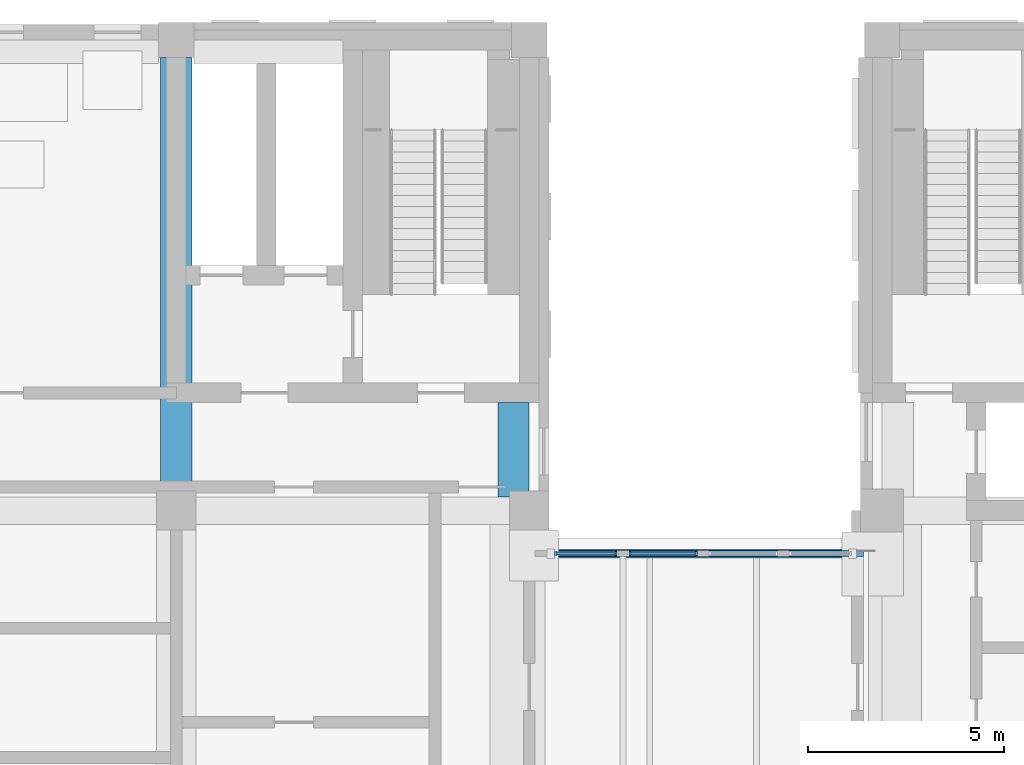
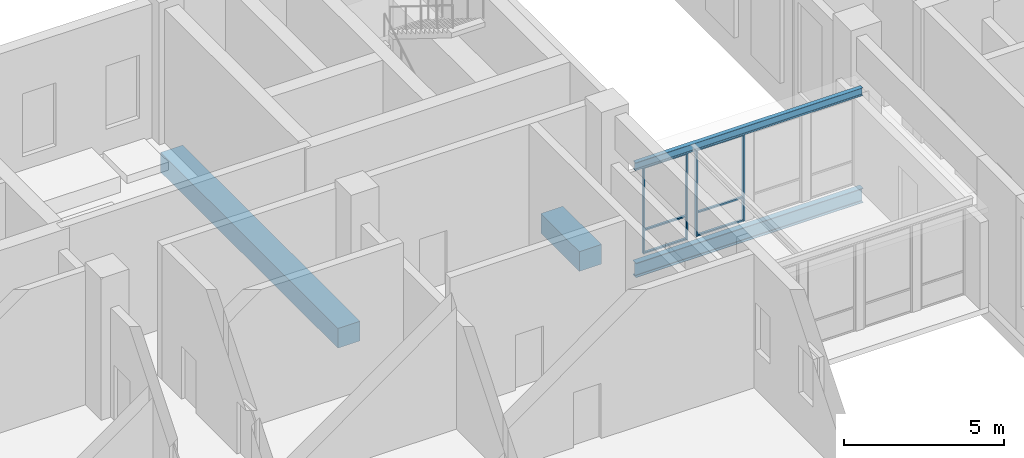
# One storey, part 12 of 52: 10 members, 4 beams, 2 elements without a shape of their own.
"""IFC4 building model written with IfcOpenShell, lengths in metres."""

from ifc_helpers import new_model, si_unit, direction, frame, origin, origin_2d, place, context, subcontext, project, spatial, rectangle, i_section, extrude, material, layer, layer_set, material_profile, profile_set, type_object, element, aggregate, save


model = new_model("IFC4")

# Units and contexts
model_context = context("Model", 3, precision=1e-05, world=origin(), true_north=direction((0.0, 1.0)))
body_context = subcontext(model_context, "Body", "Model", "MODEL_VIEW")
ifc_project = project(units=[si_unit("LENGTHUNIT", "METRE"), si_unit("AREAUNIT", "SQUARE_METRE"), si_unit("VOLUMEUNIT", "CUBIC_METRE"), si_unit("PLANEANGLEUNIT", "RADIAN"), si_unit("MASSUNIT", "GRAM", prefix="KILO")], contexts=[model_context])

# Site, building, storey
site_placement = place(None, origin())
site = spatial("IfcSite", under=ifc_project, at=site_placement, CompositionType="ELEMENT")
building_placement = place(site_placement, origin())
building = spatial("IfcBuilding", under=site, at=building_placement, Name="Aurelan Courthouse", CompositionType="ELEMENT")
storey_placement = place(building_placement, frame((0.0, 0.0, 6.60009765625)))
storey = spatial("IfcBuildingStorey", under=building, at=storey_placement, Name="L01", CompositionType="ELEMENT", Elevation=6.60009765625)

# Beams
ifc_material_1 = material(Name="Steel S355", Category="steel")
ifc_material_profile_1 = material_profile(ifc_material_1, i_section(OverallWidth=0.2099609375, OverallDepth=0.550048828125, WebThickness=0.010986328125, FlangeThickness=0.01708984375, FilletRadius=0.02392578125, at=origin_2d()), Name="IPE 550")
ifc_profile_set_1 = profile_set([ifc_material_profile_1], Name="Steel S355")
beam_type_1 = type_object("IfcBeamType", Name="Bridge girder IPE 550", PredefinedType="BEAM", material=ifc_profile_set_1)
beam_1_placement = place(storey_placement, frame((27.35009765625, 52.89990234375, -0.47509765625), z_axis=(1.0, 0.0, 0.0), x_axis=(0.0, 1.0, 0.0)))
element("IfcBeam", 1, at=beam_1_placement, inside=storey, type_object=beam_type_1, Name="Bridge girder BG-8", PredefinedType="BEAM", context=body_context, shape_type="SweptSolid", body=[
    extrude(i_section(OverallWidth=0.2099609375, OverallDepth=0.550048828125, WebThickness=0.010986328125, FlangeThickness=0.01708984375, FilletRadius=0.02392578125, at=origin_2d()), origin(), (0.0, 0.0, 1.0), 8.1748046875),
])
ifc_material_2 = material(Name="Concrete C50", Category="concrete")
ifc_material_profile_2 = material_profile(ifc_material_2, rectangle(XDim=0.800048828125, YDim=0.75, at=origin_2d()), Name="RC 800 x 750")
ifc_profile_set_2 = profile_set([ifc_material_profile_2], Name="Concrete C50")
beam_type_2 = type_object("IfcBeamType", Name="PT girder 800 x 750", PredefinedType="BEAM", material=ifc_profile_set_2)
beam_2_placement = place(storey_placement, frame((18.0, 54.5, -0.675048828125), z_axis=(0.0, 1.0, 0.0), x_axis=(-1.0, 0.0, 0.0)))
element("IfcBeam", 2, at=beam_2_placement, inside=storey, type_object=beam_type_2, Name="Girder GB-3EF", PredefinedType="BEAM", context=body_context, shape_type="SweptSolid", body=[
    extrude(rectangle(XDim=0.800048828125, YDim=0.75, at=origin_2d()), origin(), (0.0, 0.0, 1.0), 11.050048828125),
])
beam_3_placement = place(storey_placement, frame((26.60009765625, 54.35009765625, -0.675048828125), z_axis=(0.0, 1.0, 0.0), x_axis=(-1.0, 0.0, 0.0)))
element("IfcBeam", 3, at=beam_3_placement, inside=storey, type_object=beam_type_2, Name="Girder GB-4EF-E", PredefinedType="BEAM", context=body_context, shape_type="SweptSolid", body=[
    extrude(rectangle(XDim=0.800048828125, YDim=0.75, at=origin_2d()), origin(), (0.0, 0.0, 1.0), 2.39990234375),
])
ifc_material_profile_3 = material_profile(ifc_material_1, i_section(OverallWidth=0.14990234375, OverallDepth=0.300048828125, WebThickness=0.007080078125, FlangeThickness=0.0107421875, FilletRadius=0.014892578125, at=origin_2d()), Name="IPE 300")
ifc_profile_set_3 = profile_set([ifc_material_profile_3], Name="Steel S355")
beam_type_3 = type_object("IfcBeamType", Name="Passage edge beam IPE 300", PredefinedType="BEAM", material=ifc_profile_set_3)
beam_4_placement = place(storey_placement, frame((27.35009765625, 52.89990234375, 3.449951171875), z_axis=(1.0, 0.0, 0.0), x_axis=(0.0, 1.0, 0.0)))
element("IfcBeam", 4, at=beam_4_placement, inside=storey, type_object=beam_type_3, Name="Passage edge beam BR4-BB", PredefinedType="BEAM", context=body_context, shape_type="SweptSolid", body=[
    extrude(i_section(OverallWidth=0.14990234375, OverallDepth=0.300048828125, WebThickness=0.007080078125, FlangeThickness=0.0107421875, FilletRadius=0.014892578125, at=origin_2d()), origin(), (0.0, 0.0, 1.0), 8.1748046875),
])

# Curtain wall, members
ifc_material_3 = material(Name="Bronze-finished aluminium and glass", Category="aluminium")
ifc_layer_1 = layer(ifc_material_3, 0.1201171875)
ifc_layer_set_1 = layer_set([ifc_layer_1], Name="Bronze-finished aluminium and glass")
curtain_wall_type_1 = type_object("IfcCurtainWallType", Name="Passage glazing 1594 x 3300", PredefinedType="NOTDEFINED", material=ifc_layer_set_1)
curtain_wall_1_placement = place(storey_placement, origin())
curtain_wall_1 = element("IfcCurtainWall", 5, at=curtain_wall_1_placement, inside=storey, type_object=curtain_wall_type_1, Name="Curtain wall CW-L01-BR405", PredefinedType="NOTDEFINED")
ifc_material_4 = material(Name="Bronze-finished aluminium", Category="aluminium")
ifc_material_profile_4 = material_profile(ifc_material_4, rectangle(XDim=0.10009765625, YDim=0.054931640625, at=origin_2d()), Name="Passage glazing mullion 55 x 100")
ifc_profile_set_4 = profile_set([ifc_material_profile_4], Name="Bronze-finished aluminium")
member_type_1 = type_object("IfcMemberType", Name="Passage glazing mullion 55 x 100", PredefinedType="MULLION", material=ifc_profile_set_4)
member_1_placement = place(storey_placement, frame((27.677490234375, 52.89990234375, 0.0), z_axis=(0.0, 0.0, 1.0), x_axis=(0.0, 1.0, 0.0)))
member_1 = element("IfcMember", 6, at=member_1_placement, type_object=member_type_1, Name="CW-L01-BR405 mullion 1", PredefinedType="MULLION", context=body_context, shape_type="SweptSolid", body=[
    extrude(rectangle(XDim=0.10009765625, YDim=0.054931640625, at=origin_2d()), origin(), (0.0, 0.0, 1.0), 3.2998046875),
])
member_2_placement = place(storey_placement, frame((29.21630859375, 52.89990234375, 0.0), z_axis=(0.0, 0.0, 1.0), x_axis=(0.0, 1.0, 0.0)))
member_2 = element("IfcMember", 7, at=member_2_placement, type_object=member_type_1, Name="CW-L01-BR405 mullion 2", PredefinedType="MULLION", context=body_context, shape_type="SweptSolid", body=[
    extrude(rectangle(XDim=0.10009765625, YDim=0.054931640625, at=origin_2d()), origin(), (0.0, 0.0, 1.0), 3.2998046875),
])

ifc_layer_2 = layer(ifc_material_3, 0.1201171875)
ifc_layer_set_2 = layer_set([ifc_layer_2], Name="Bronze-finished aluminium and glass")
curtain_wall_type_2 = type_object("IfcCurtainWallType", Name="Passage glazing 1744 x 3300", PredefinedType="NOTDEFINED", material=ifc_layer_set_2)
curtain_wall_2_placement = place(storey_placement, origin())
curtain_wall_2 = element("IfcCurtainWall", 8, at=curtain_wall_2_placement, inside=storey, type_object=curtain_wall_type_2, Name="Curtain wall CW-L01-BR406", PredefinedType="NOTDEFINED")
member_3_placement = place(storey_placement, frame((29.5712890625, 52.89990234375, 0.0), z_axis=(0.0, 0.0, 1.0), x_axis=(0.0, 1.0, 0.0)))
member_3 = element("IfcMember", 9, at=member_3_placement, type_object=member_type_1, Name="CW-L01-BR406 mullion 1", PredefinedType="MULLION", context=body_context, shape_type="SweptSolid", body=[
    extrude(rectangle(XDim=0.10009765625, YDim=0.054931640625, at=origin_2d()), origin(), (0.0, 0.0, 1.0), 3.2998046875),
])
member_4_placement = place(storey_placement, frame((31.260009765625, 52.89990234375, 0.0), z_axis=(0.0, 0.0, 1.0), x_axis=(0.0, 1.0, 0.0)))
member_4 = element("IfcMember", 10, at=member_4_placement, type_object=member_type_1, Name="CW-L01-BR406 mullion 2", PredefinedType="MULLION", context=body_context, shape_type="SweptSolid", body=[
    extrude(rectangle(XDim=0.10009765625, YDim=0.054931640625, at=origin_2d()), origin(), (0.0, 0.0, 1.0), 3.2998046875),
])

# Member
ifc_material_profile_5 = material_profile(ifc_material_4, rectangle(XDim=0.080078125, YDim=0.054931640625, at=origin_2d()), Name="Passage glazing transom 55 x 80")
ifc_profile_set_5 = profile_set([ifc_material_profile_5], Name="Bronze-finished aluminium")
member_type_2 = type_object("IfcMemberType", Name="Passage glazing transom 55 x 80", PredefinedType="USERDEFINED", material=ifc_profile_set_5)
member_5_placement = place(storey_placement, frame((27.705078125, 52.89990234375, 0.02734375), z_axis=(1.0, 0.0, 0.0), x_axis=(0.0, 1.0, 0.0)))
member_5 = element("IfcMember", 11, at=member_5_placement, type_object=member_type_2, Name="CW-L01-BR405 transom 1.1", ObjectType="TRANSOM", PredefinedType="USERDEFINED", context=body_context, shape_type="SweptSolid", body=[
    extrude(rectangle(XDim=0.080078125, YDim=0.054931640625, at=origin_2d()), origin(), (0.0, 0.0, 1.0), 1.483642578125),
])

member_6_placement = place(storey_placement, frame((27.705078125, 52.89990234375, 0.89990234375), z_axis=(1.0, 0.0, 0.0), x_axis=(0.0, 1.0, 0.0)))
member_6 = element("IfcMember", 12, at=member_6_placement, type_object=member_type_2, Name="CW-L01-BR405 transom 1.2", ObjectType="TRANSOM", PredefinedType="USERDEFINED", context=body_context, shape_type="SweptSolid", body=[
    extrude(rectangle(XDim=0.080078125, YDim=0.054931640625, at=origin_2d()), origin(), (0.0, 0.0, 1.0), 1.483642578125),
])

member_7_placement = place(storey_placement, frame((27.705078125, 52.89990234375, 3.2724609375), z_axis=(1.0, 0.0, 0.0), x_axis=(0.0, 1.0, 0.0)))
member_7 = element("IfcMember", 13, at=member_7_placement, type_object=member_type_2, Name="CW-L01-BR405 transom 1.3", ObjectType="TRANSOM", PredefinedType="USERDEFINED", context=body_context, shape_type="SweptSolid", body=[
    extrude(rectangle(XDim=0.080078125, YDim=0.054931640625, at=origin_2d()), origin(), (0.0, 0.0, 1.0), 1.483642578125),
])

aggregate(curtain_wall_1, [member_1, member_2, member_5, member_6, member_7])

member_8_placement = place(storey_placement, frame((29.5986328125, 52.89990234375, 0.02734375), z_axis=(1.0, 0.0, 0.0), x_axis=(0.0, 1.0, 0.0)))
member_8 = element("IfcMember", 14, at=member_8_placement, type_object=member_type_2, Name="CW-L01-BR406 transom 1.1", ObjectType="TRANSOM", PredefinedType="USERDEFINED", context=body_context, shape_type="SweptSolid", body=[
    extrude(rectangle(XDim=0.080078125, YDim=0.054931640625, at=origin_2d()), origin(), (0.0, 0.0, 1.0), 1.6337890625),
])

member_9_placement = place(storey_placement, frame((29.5986328125, 52.89990234375, 0.89990234375), z_axis=(1.0, 0.0, 0.0), x_axis=(0.0, 1.0, 0.0)))
member_9 = element("IfcMember", 15, at=member_9_placement, type_object=member_type_2, Name="CW-L01-BR406 transom 1.2", ObjectType="TRANSOM", PredefinedType="USERDEFINED", context=body_context, shape_type="SweptSolid", body=[
    extrude(rectangle(XDim=0.080078125, YDim=0.054931640625, at=origin_2d()), origin(), (0.0, 0.0, 1.0), 1.6337890625),
])

member_10_placement = place(storey_placement, frame((29.5986328125, 52.89990234375, 3.2724609375), z_axis=(1.0, 0.0, 0.0), x_axis=(0.0, 1.0, 0.0)))
member_10 = element("IfcMember", 16, at=member_10_placement, type_object=member_type_2, Name="CW-L01-BR406 transom 1.3", ObjectType="TRANSOM", PredefinedType="USERDEFINED", context=body_context, shape_type="SweptSolid", body=[
    extrude(rectangle(XDim=0.080078125, YDim=0.054931640625, at=origin_2d()), origin(), (0.0, 0.0, 1.0), 1.6337890625),
])

aggregate(curtain_wall_2, [member_3, member_4, member_8, member_9, member_10])

save(model, "model.ifc")
